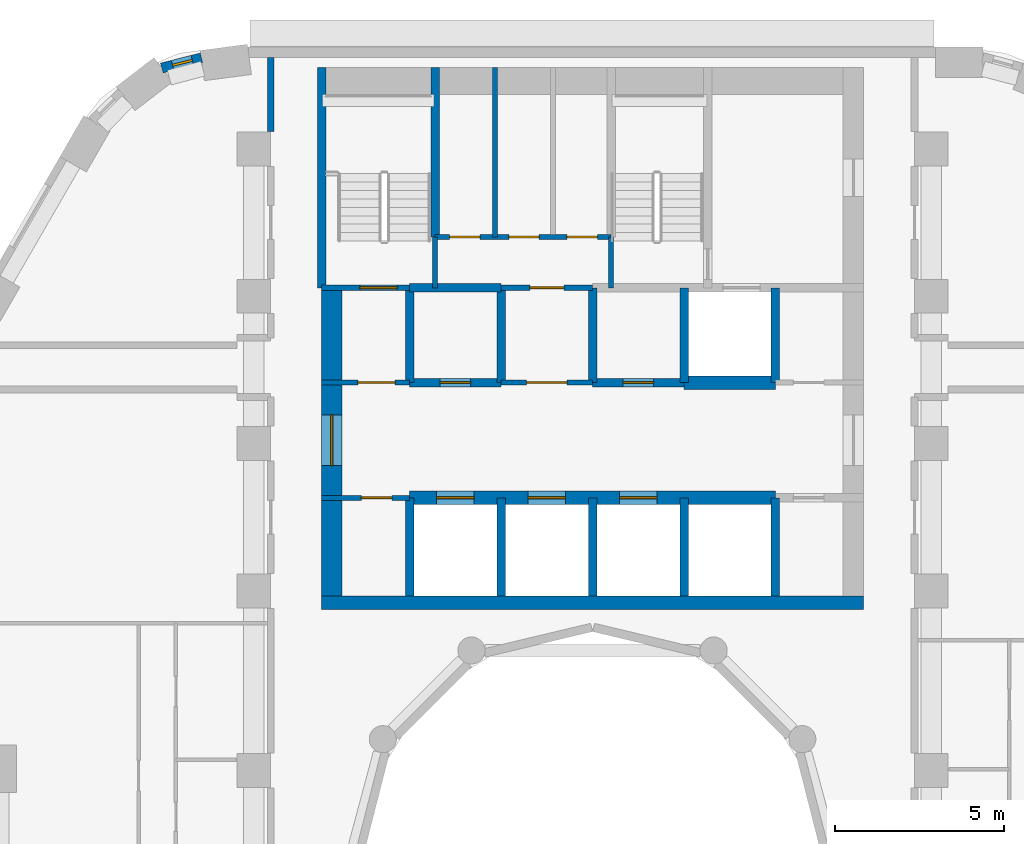
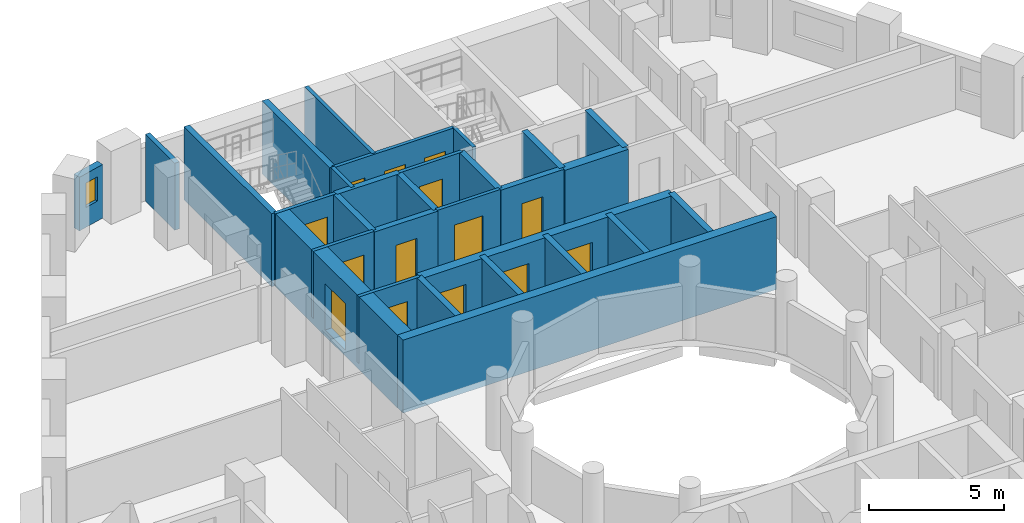
# One storey, part 7 of 12: 30 walls, 14 doors, 1 window, 15 openings.
"""IFC4 building model written with IfcOpenShell, lengths in metres."""

from ifc_helpers import new_model, si_unit, direction, frame, frame_2d, origin, place, context, subcontext, project, spatial, rectangle, extrude, material, layer, layer_set, type_object, element, fill, save


model = new_model("IFC4")

# Units and contexts
model_context = context("Model", 3, precision=1e-05, world=origin(), true_north=direction((0.0, 1.0)))
body_context = subcontext(model_context, "Body", "Model", "MODEL_VIEW")
ifc_project = project(units=[si_unit("LENGTHUNIT", "METRE"), si_unit("AREAUNIT", "SQUARE_METRE"), si_unit("VOLUMEUNIT", "CUBIC_METRE"), si_unit("PLANEANGLEUNIT", "RADIAN"), si_unit("MASSUNIT", "GRAM", prefix="KILO")], contexts=[model_context])

# Site, building, storey
site_placement = place(None, origin())
site = spatial("IfcSite", under=ifc_project, at=site_placement, CompositionType="ELEMENT")
building_placement = place(site_placement, origin())
building = spatial("IfcBuilding", under=site, at=building_placement, Name="Nakaniwa Court", CompositionType="ELEMENT")
storey_placement = place(building_placement, frame((0.0, 0.0, 97.5)))
storey = spatial("IfcBuildingStorey", under=building, at=storey_placement, Name="L25", CompositionType="ELEMENT", Elevation=97.5)

# Wall
ifc_material_1 = material(Name="Acoustic double stud partition")
ifc_layer_1 = layer(ifc_material_1, 0.199951171875)
ifc_layer_set_1 = layer_set([ifc_layer_1], Name="Acoustic double stud partition")
wall_type_1 = type_object("IfcWallType", Name="Acoustic double stud partition 200", PredefinedType="PARTITIONING", material=ifc_layer_set_1)
wall_1_placement = place(storey_placement, frame((70.5, 101.51708984375, 0.0), z_axis=(0.0, 0.0, 1.0), x_axis=(0.0, 1.0, 0.0)))
element("IfcWall", 1, at=wall_1_placement, inside=storey, type_object=wall_type_1, Name="Partition PW-108", PredefinedType="PARTITIONING", context=body_context, shape_type="SweptSolid", body=[
    extrude(rectangle(XDim=2.182861328125, YDim=0.199951171875, at=frame_2d((1.09130859375, 0.0))), origin(), (0.0, 0.0, 1.0), 3.02490234375),
])

# Wall, opening, window
ifc_material_2 = material(Name="Charcoal ceramic cladding")
ifc_layer_2 = layer(ifc_material_2, 0.02, Name="Ceramic cladding")
ifc_material_3 = material(Name="Ventilated air cavity")
ifc_layer_3 = layer(ifc_material_3, 0.04, ventilated=True, Name="Ventilated cavity")
ifc_material_4 = material(Name="Mineral wool insulation")
ifc_layer_4 = layer(ifc_material_4, 0.1, Name="Insulation")
ifc_material_5 = material(Name="Cement bonded sheathing board")
ifc_layer_5 = layer(ifc_material_5, 0.012, Name="Sheathing")
ifc_material_6 = material(Name="Cold-formed galvanised stud frame with mineral wool infill")
ifc_layer_6 = layer(ifc_material_6, 0.1, Name="Stud frame")
ifc_material_7 = material(Name="Fire-rated gypsum plasterboard lining")
ifc_layer_7 = layer(ifc_material_7, 0.028, Name="Lining")
ifc_layer_set_2 = layer_set([ifc_layer_2, ifc_layer_3, ifc_layer_4, ifc_layer_5, ifc_layer_6, ifc_layer_7], Name="Charcoal ceramic faced external wall system")
wall_type_2 = type_object("IfcWallType", Name="Black ceramic faced external wall 300", PredefinedType="SOLIDWALL", material=ifc_layer_set_2)
wall_2_placement = place(storey_placement, frame((68.455810546875, 103.68310546875, 0.0), z_axis=(0.0, 0.0, 1.0), x_axis=(-0.969485113966, -0.245150186208, 0.0)))
wall_2 = element("IfcWall", 2, at=wall_2_placement, inside=storey, type_object=wall_type_2, Name="L25 external wall 09", PredefinedType="SOLIDWALL", context=body_context, shape_type="SweptSolid", body=[
    extrude(rectangle(XDim=1.2080078125, YDim=0.300048828125, at=frame_2d((0.60400390625, 0.0))), origin(), (0.0, 0.0, 1.0), 2.425048828125),
])
opening_1_placement = place(wall_2_placement, frame((0.279541015625, 0.0, 0.89990234375)))
opening_1 = element("IfcOpeningElement", 3, at=opening_1_placement, cuts=wall_2, Name="Opening W8.10", PredefinedType="OPENING", context=body_context, shape_type="SweptSolid", body=[
    extrude(rectangle(XDim=0.60009765625, YDim=1.10009765625, at=frame_2d((0.300048828125, 0.550048828125))), frame((0.0, 0.159912109375, 0.0), z_axis=(0.0, -1.0, 0.0), x_axis=(1.0, 0.0, 0.0)), (0.0, 0.0, 1.0), 0.320068359375),
])
ifc_material_8 = material(Name="Black anodised aluminium frame with dark low-E laminated double glazing", Category="aluminium")
window_type = type_object("IfcWindowType", Name="Dark glass window 600x1100 sill 900", PartitioningType="SINGLE_PANEL", PredefinedType="WINDOW", material=ifc_material_8)
window_placement = place(opening_1_placement, origin())
window = element("IfcWindow", 4, at=window_placement, inside=storey, type_object=window_type, Name="L25 habitable room window 09-0", OverallHeight=1.10009765625, OverallWidth=0.60009765625, PartitioningType="SINGLE_PANEL", PredefinedType="WINDOW", context=body_context, shape_type="SweptSolid", body=[
    extrude(rectangle(XDim=0.60009765625, YDim=1.10009765625, at=frame_2d((0.300048828125, 0.550048828125))), frame((0.0, 0.030029296875, 0.0), z_axis=(0.0, -1.0, 0.0), x_axis=(1.0, 0.0, 0.0)), (0.0, 0.0, 1.0), 0.06005859375),
])
fill(opening_1, window)

# Wall, opening, door
ifc_material_9 = material(Name="Blockwork partition", Category="masonry")
ifc_layer_8 = layer(ifc_material_9, 0.14990234375)
ifc_layer_set_3 = layer_set([ifc_layer_8], Name="Blockwork partition")
wall_type_3 = type_object("IfcWallType", Name="Blockwork partition 150", PredefinedType="PARTITIONING", material=ifc_layer_set_3)
wall_3_placement = place(storey_placement, frame((74.60009765625, 90.699951171875, 0.0), z_axis=(0.0, 0.0, 1.0), x_axis=(-1.0, 0.0, 0.0)))
wall_3 = element("IfcWall", 5, at=wall_3_placement, inside=storey, type_object=wall_type_3, Name="Partition PW-003", PredefinedType="PARTITIONING", context=body_context, shape_type="SweptSolid", body=[
    extrude(rectangle(XDim=2.60009765625, YDim=0.14990234375, at=frame_2d((1.300048828125, 0.0))), origin(), (0.0, 0.0, 1.0), 3.02490234375),
])
opening_2_placement = place(wall_3_placement, frame((0.52490234375, 0.0, 0.0)))
opening_2 = element("IfcOpeningElement", 6, at=opening_2_placement, cuts=wall_3, Name="Opening D-05-01", PredefinedType="OPENING", context=body_context, shape_type="SweptSolid", body=[
    extrude(rectangle(XDim=0.89990234375, YDim=2.10009765625, at=frame_2d((0.449951171875, 1.050048828125))), frame((0.0, 0.0849609375, 0.0), z_axis=(0.0, -1.0, 0.0), x_axis=(1.0, 0.0, 0.0)), (0.0, 0.0, 1.0), 0.169921875),
])
ifc_material_10 = material(Name="Fire rated steel door set", Category="steel")
door_type_1 = type_object("IfcDoorType", Name="Service room door 900", OperationType="NOTDEFINED", PredefinedType="DOOR", material=ifc_material_10)
door_1_placement = place(opening_2_placement, origin())
door_1 = element("IfcDoor", 7, at=door_1_placement, inside=storey, type_object=door_type_1, Name="Door D-05-01 L25-001", OperationType="SINGLE_SWING_RIGHT", OverallHeight=2.10009765625, OverallWidth=0.89990234375, PredefinedType="DOOR", context=body_context, shape_type="SweptSolid", body=[
    extrude(rectangle(XDim=0.89990234375, YDim=2.10009765625, at=frame_2d((0.449951171875, 1.050048828125))), frame((0.0, 0.02490234375, 0.0), z_axis=(0.0, -1.0, 0.0), x_axis=(1.0, 0.0, 0.0)), (0.0, 0.0, 1.0), 0.050048828125),
])
fill(opening_2, door_1)

wall_4_placement = place(storey_placement, frame((72.0, 94.10009765625, 0.0), z_axis=(0.0, 0.0, 1.0), x_axis=(1.0, 0.0, 0.0)))
wall_4 = element("IfcWall", 8, at=wall_4_placement, inside=storey, type_object=wall_type_3, Name="Partition PW-016", PredefinedType="PARTITIONING", context=body_context, shape_type="SweptSolid", body=[
    extrude(rectangle(XDim=2.60302734375, YDim=0.14990234375, at=frame_2d((1.301513671875, 0.0))), origin(), (0.0, 0.0, 1.0), 3.02490234375),
])
opening_3_placement = place(wall_4_placement, frame((1.074951171875, 0.0, 0.0)))
opening_3 = element("IfcOpeningElement", 9, at=opening_3_placement, cuts=wall_4, Name="Opening D-08-01", PredefinedType="OPENING", context=body_context, shape_type="SweptSolid", body=[
    extrude(rectangle(XDim=1.10009765625, YDim=2.10009765625, at=frame_2d((0.550048828125, 1.050048828125))), frame((0.0, 0.0849609375, 0.0), z_axis=(0.0, -1.0, 0.0), x_axis=(1.0, 0.0, 0.0)), (0.0, 0.0, 1.0), 0.169921875),
])
door_type_2 = type_object("IfcDoorType", Name="Stair lobby door 1100", OperationType="NOTDEFINED", PredefinedType="DOOR", material=ifc_material_10)
door_2_placement = place(opening_3_placement, origin())
door_2 = element("IfcDoor", 10, at=door_2_placement, inside=storey, type_object=door_type_2, Name="Door D-08-01 L25-003", OperationType="SINGLE_SWING_RIGHT", OverallHeight=2.10009765625, OverallWidth=1.10009765625, PredefinedType="DOOR", context=body_context, shape_type="SweptSolid", body=[
    extrude(rectangle(XDim=1.10009765625, YDim=2.10009765625, at=frame_2d((0.550048828125, 1.050048828125))), frame((0.0, 0.02490234375, 0.0), z_axis=(0.0, -1.0, 0.0), x_axis=(1.0, 0.0, 0.0)), (0.0, 0.0, 1.0), 0.050048828125),
])
fill(opening_3, door_2)

wall_5_placement = place(storey_placement, frame((77.297119140625, 94.10009765625, 0.0), z_axis=(0.0, 0.0, 1.0), x_axis=(1.0, 0.0, 0.0)))
wall_5 = element("IfcWall", 11, at=wall_5_placement, inside=storey, type_object=wall_type_3, Name="Partition PW-017", PredefinedType="PARTITIONING", context=body_context, shape_type="SweptSolid", body=[
    extrude(rectangle(XDim=2.705810546875, YDim=0.14990234375, at=frame_2d((1.35302734375, 0.0))), origin(), (0.0, 0.0, 1.0), 3.02490234375),
])
opening_4_placement = place(wall_5_placement, frame((0.7529296875, 0.0, 0.0)))
opening_4 = element("IfcOpeningElement", 12, at=opening_4_placement, cuts=wall_5, Name="Opening D-06-01", PredefinedType="OPENING", context=body_context, shape_type="SweptSolid", body=[
    extrude(rectangle(XDim=1.199951171875, YDim=2.10009765625, at=frame_2d((0.60009765625, 1.050048828125))), frame((0.0, 0.0849609375, 0.0), z_axis=(0.0, -1.0, 0.0), x_axis=(1.0, 0.0, 0.0)), (0.0, 0.0, 1.0), 0.169921875),
])
ifc_material_11 = material(Name="Fire rated steel double door set", Category="steel")
door_type_3 = type_object("IfcDoorType", Name="Service passage double door 1200", OperationType="NOTDEFINED", PredefinedType="DOOR", material=ifc_material_11)
door_3_placement = place(opening_4_placement, origin())
door_3 = element("IfcDoor", 13, at=door_3_placement, inside=storey, type_object=door_type_3, Name="Door D-06-01 L25-005", OperationType="DOUBLE_DOOR_SINGLE_SWING", OverallHeight=2.10009765625, OverallWidth=1.199951171875, PredefinedType="DOOR", context=body_context, shape_type="SweptSolid", body=[
    extrude(rectangle(XDim=1.199951171875, YDim=2.10009765625, at=frame_2d((0.60009765625, 1.050048828125))), frame((0.0, 0.02490234375, 0.0), z_axis=(0.0, -1.0, 0.0), x_axis=(1.0, 0.0, 0.0)), (0.0, 0.0, 1.0), 0.050048828125),
])
fill(opening_4, door_3)

wall_6_placement = place(storey_placement, frame((77.300048828125, 96.89990234375, 0.0), z_axis=(0.0, 0.0, 1.0), x_axis=(1.0, 0.0, 0.0)))
wall_6 = element("IfcWall", 14, at=wall_6_placement, inside=storey, type_object=wall_type_3, Name="Partition PW-025", PredefinedType="PARTITIONING", context=body_context, shape_type="SweptSolid", body=[
    extrude(rectangle(XDim=2.699951171875, YDim=0.14990234375, at=frame_2d((1.35009765625, 0.0))), origin(), (0.0, 0.0, 1.0), 3.02490234375),
])
opening_5_placement = place(wall_6_placement, frame((0.85009765625, 0.0, 0.0)))
opening_5 = element("IfcOpeningElement", 15, at=opening_5_placement, cuts=wall_6, Name="Opening D-23-01", PredefinedType="OPENING", context=body_context, shape_type="SweptSolid", body=[
    extrude(rectangle(XDim=1.0, YDim=2.10009765625, at=frame_2d((0.5, 1.050048828125))), frame((0.0, 0.0849609375, 0.0), z_axis=(0.0, -1.0, 0.0), x_axis=(1.0, 0.0, 0.0)), (0.0, 0.0, 1.0), 0.169921875),
])
door_type_4 = type_object("IfcDoorType", Name="Service room door 1000", OperationType="NOTDEFINED", PredefinedType="DOOR", material=ifc_material_10)
door_4_placement = place(opening_5_placement, origin())
door_4 = element("IfcDoor", 16, at=door_4_placement, inside=storey, type_object=door_type_4, Name="Door D-23-01 L25-008", OperationType="SINGLE_SWING_LEFT", OverallHeight=2.10009765625, OverallWidth=1.0, PredefinedType="DOOR", context=body_context, shape_type="SweptSolid", body=[
    extrude(rectangle(XDim=1.0, YDim=2.10009765625, at=frame_2d((0.5, 1.050048828125))), frame((0.0, 0.02490234375, 0.0), z_axis=(0.0, -1.0, 0.0), x_axis=(1.0, 0.0, 0.0)), (0.0, 0.0, 1.0), 0.050048828125),
])
fill(opening_5, door_4)

# Wall, openings, doors
wall_7_placement = place(storey_placement, frame((75.35009765625, 98.39990234375, 0.0), z_axis=(0.0, 0.0, 1.0), x_axis=(1.0, 0.0, 0.0)))
wall_7 = element("IfcWall", 17, at=wall_7_placement, inside=storey, type_object=wall_type_3, Name="Partition PW-032", PredefinedType="PARTITIONING", context=body_context, shape_type="SweptSolid", body=[
    extrude(rectangle(XDim=5.199951171875, YDim=0.14990234375, at=frame_2d((2.60009765625, 0.0))), origin(), (0.0, 0.0, 1.0), 3.02490234375),
])
opening_6_placement = place(wall_7_placement, frame((0.43408203125, 0.0, 0.0)))
opening_6 = element("IfcOpeningElement", 18, at=opening_6_placement, cuts=wall_7, Name="Opening D-05-06", PredefinedType="OPENING", context=body_context, shape_type="SweptSolid", body=[
    extrude(rectangle(XDim=0.89990234375, YDim=2.10009765625, at=frame_2d((0.449951171875, 1.050048828125))), frame((0.0, 0.0849609375, 0.0), z_axis=(0.0, -1.0, 0.0), x_axis=(1.0, 0.0, 0.0)), (0.0, 0.0, 1.0), 0.169921875),
])
opening_7_placement = place(wall_7_placement, frame((2.176025390625, 0.0, 0.0)))
opening_7 = element("IfcOpeningElement", 19, at=opening_7_placement, cuts=wall_7, Name="Opening D-05-07", PredefinedType="OPENING", context=body_context, shape_type="SweptSolid", body=[
    extrude(rectangle(XDim=0.89990234375, YDim=2.10009765625, at=frame_2d((0.449951171875, 1.050048828125))), frame((0.0, 0.0849609375, 0.0), z_axis=(0.0, -1.0, 0.0), x_axis=(1.0, 0.0, 0.0)), (0.0, 0.0, 1.0), 0.169921875),
])
opening_8_placement = place(wall_7_placement, frame((3.89208984375, 0.0, 0.0)))
opening_8 = element("IfcOpeningElement", 20, at=opening_8_placement, cuts=wall_7, Name="Opening D-05-08", PredefinedType="OPENING", context=body_context, shape_type="SweptSolid", body=[
    extrude(rectangle(XDim=0.89990234375, YDim=2.10009765625, at=frame_2d((0.449951171875, 1.050048828125))), frame((0.0, 0.0849609375, 0.0), z_axis=(0.0, -1.0, 0.0), x_axis=(1.0, 0.0, 0.0)), (0.0, 0.0, 1.0), 0.169921875),
])
door_5_placement = place(opening_6_placement, origin())
door_5 = element("IfcDoor", 21, at=door_5_placement, inside=storey, type_object=door_type_1, Name="Door D-05-06 L25-009", OperationType="SINGLE_SWING_RIGHT", OverallHeight=2.10009765625, OverallWidth=0.89990234375, PredefinedType="DOOR", context=body_context, shape_type="SweptSolid", body=[
    extrude(rectangle(XDim=0.89990234375, YDim=2.10009765625, at=frame_2d((0.449951171875, 1.050048828125))), frame((0.0, 0.02490234375, 0.0), z_axis=(0.0, -1.0, 0.0), x_axis=(1.0, 0.0, 0.0)), (0.0, 0.0, 1.0), 0.050048828125),
])
fill(opening_6, door_5)
door_6_placement = place(opening_7_placement, origin())
door_6 = element("IfcDoor", 22, at=door_6_placement, inside=storey, type_object=door_type_1, Name="Door D-05-07 L25-010", OperationType="SINGLE_SWING_LEFT", OverallHeight=2.10009765625, OverallWidth=0.89990234375, PredefinedType="DOOR", context=body_context, shape_type="SweptSolid", body=[
    extrude(rectangle(XDim=0.89990234375, YDim=2.10009765625, at=frame_2d((0.449951171875, 1.050048828125))), frame((0.0, 0.02490234375, 0.0), z_axis=(0.0, -1.0, 0.0), x_axis=(1.0, 0.0, 0.0)), (0.0, 0.0, 1.0), 0.050048828125),
])
fill(opening_7, door_6)
door_7_placement = place(opening_8_placement, origin())
door_7 = element("IfcDoor", 23, at=door_7_placement, inside=storey, type_object=door_type_1, Name="Door D-05-08 L25-011", OperationType="SINGLE_SWING_RIGHT", OverallHeight=2.10009765625, OverallWidth=0.89990234375, PredefinedType="DOOR", context=body_context, shape_type="SweptSolid", body=[
    extrude(rectangle(XDim=0.89990234375, YDim=2.10009765625, at=frame_2d((0.449951171875, 1.050048828125))), frame((0.0, 0.02490234375, 0.0), z_axis=(0.0, -1.0, 0.0), x_axis=(1.0, 0.0, 0.0)), (0.0, 0.0, 1.0), 0.050048828125),
])
fill(opening_8, door_7)

# Wall
wall_8_placement = place(storey_placement, frame((77.117919921875, 98.39990234375, 0.0), z_axis=(0.0, 0.0, 1.0), x_axis=(0.0, 1.0, 0.0)))
element("IfcWall", 24, at=wall_8_placement, inside=storey, type_object=wall_type_3, Name="Partition PW-033", PredefinedType="PARTITIONING", context=body_context, shape_type="SweptSolid", body=[
    extrude(rectangle(XDim=5.0, YDim=0.14990234375, at=frame_2d((2.5, 0.0))), origin(), (0.0, 0.0, 1.0), 3.02490234375),
])

# Wall, opening, door
ifc_material_12 = material(Name="Concrete C80/100", Category="concrete")
ifc_layer_9 = layer(ifc_material_12, 0.60009765625)
ifc_layer_set_4 = layer_set([ifc_layer_9], Name="Concrete C80/100")
wall_type_4 = type_object("IfcWallType", Name="Concrete core side wall 600 C80", PredefinedType="SHEAR", material=ifc_layer_set_4)
wall_9_placement = place(storey_placement, frame((72.300048828125, 87.800048828125, -0.27490234375), z_axis=(0.0, 0.0, 1.0), x_axis=(0.0, 1.0, 0.0)))
wall_9 = element("IfcWall", 25, at=wall_9_placement, inside=storey, type_object=wall_type_4, Name="Core wall SW-04", PredefinedType="SHEAR", context=body_context, shape_type="SweptSolid", body=[
    extrude(rectangle(XDim=9.099853515625, YDim=0.60009765625, at=frame_2d((4.5498046875, 0.0))), origin(), (0.0, 0.0, 1.0), 3.2998046875),
])
opening_9_placement = place(wall_9_placement, frame((3.85009765625, 0.0, 0.27490234375)))
opening_9 = element("IfcOpeningElement", 26, at=opening_9_placement, cuts=wall_9, Name="Opening D-07-02", PredefinedType="OPENING", context=body_context, shape_type="SweptSolid", body=[
    extrude(rectangle(XDim=1.5, YDim=2.10009765625, at=frame_2d((0.75, 1.050048828125))), frame((0.0, 0.31005859375, 0.0), z_axis=(0.0, -1.0, 0.0), x_axis=(1.0, 0.0, 0.0)), (0.0, 0.0, 1.0), 0.6201171875),
])
ifc_material_13 = material(Name="Glazed fire rated steel double door set", Category="steel")
door_type_5 = type_object("IfcDoorType", Name="Lobby double door 1500", OperationType="NOTDEFINED", PredefinedType="DOOR", material=ifc_material_13)
door_8_placement = place(opening_9_placement, origin())
door_8 = element("IfcDoor", 27, at=door_8_placement, inside=storey, type_object=door_type_5, Name="Door D-07-02 L25-052", OperationType="DOUBLE_DOOR_SINGLE_SWING", OverallHeight=2.10009765625, OverallWidth=1.5, PredefinedType="DOOR", context=body_context, shape_type="SweptSolid", body=[
    extrude(rectangle(XDim=1.5, YDim=2.10009765625, at=frame_2d((0.75, 1.050048828125))), frame((0.0, 0.02490234375, 0.0), z_axis=(0.0, -1.0, 0.0), x_axis=(1.0, 0.0, 0.0)), (0.0, 0.0, 1.0), 0.050048828125),
])
fill(opening_9, door_8)

# Wall, openings, doors
ifc_layer_10 = layer(ifc_material_12, 0.39990234375)
ifc_layer_set_5 = layer_set([ifc_layer_10], Name="Concrete C80/100")
wall_type_5 = type_object("IfcWallType", Name="Concrete core spine wall 400 C80", PredefinedType="SHEAR", material=ifc_layer_set_5)
wall_10_placement = place(storey_placement, frame((74.60009765625, 90.699951171875, -0.27490234375), z_axis=(0.0, 0.0, 1.0), x_axis=(1.0, 0.0, 0.0)))
wall_10 = element("IfcWall", 28, at=wall_10_placement, inside=storey, type_object=wall_type_5, Name="Core wall SW-07", PredefinedType="SHEAR", context=body_context, shape_type="SweptSolid", body=[
    extrude(rectangle(XDim=10.7998046875, YDim=0.39990234375, at=frame_2d((5.39990234375, 0.0))), origin(), (0.0, 0.0, 1.0), 3.2998046875),
])
opening_10_placement = place(wall_10_placement, frame((0.800048828125, 0.0, 0.27490234375)))
opening_10 = element("IfcOpeningElement", 29, at=opening_10_placement, cuts=wall_10, Name="Opening LD01", PredefinedType="OPENING", context=body_context, shape_type="SweptSolid", body=[
    extrude(rectangle(XDim=1.10009765625, YDim=2.10009765625, at=frame_2d((0.550048828125, 1.050048828125))), frame((0.0, 0.2099609375, 0.0), z_axis=(0.0, -1.0, 0.0), x_axis=(1.0, 0.0, 0.0)), (0.0, 0.0, 1.0), 0.419921875),
])
opening_11_placement = place(wall_10_placement, frame((3.5, 0.0, 0.27490234375)))
opening_11 = element("IfcOpeningElement", 30, at=opening_11_placement, cuts=wall_10, Name="Opening LD02", PredefinedType="OPENING", context=body_context, shape_type="SweptSolid", body=[
    extrude(rectangle(XDim=1.10009765625, YDim=2.10009765625, at=frame_2d((0.550048828125, 1.050048828125))), frame((0.0, 0.2099609375, 0.0), z_axis=(0.0, -1.0, 0.0), x_axis=(1.0, 0.0, 0.0)), (0.0, 0.0, 1.0), 0.419921875),
])
opening_12_placement = place(wall_10_placement, frame((6.199951171875, 0.0, 0.27490234375)))
opening_12 = element("IfcOpeningElement", 31, at=opening_12_placement, cuts=wall_10, Name="Opening LD03", PredefinedType="OPENING", context=body_context, shape_type="SweptSolid", body=[
    extrude(rectangle(XDim=1.10009765625, YDim=2.10009765625, at=frame_2d((0.550048828125, 1.050048828125))), frame((0.0, 0.2099609375, 0.0), z_axis=(0.0, -1.0, 0.0), x_axis=(1.0, 0.0, 0.0)), (0.0, 0.0, 1.0), 0.419921875),
])
ifc_material_14 = material(Name="Stainless steel sliding lift landing door", Category="steel")
door_type_6 = type_object("IfcDoorType", Name="Lift landing door 1100", OperationType="NOTDEFINED", PredefinedType="DOOR", material=ifc_material_14)
door_9_placement = place(opening_10_placement, origin())
door_9 = element("IfcDoor", 32, at=door_9_placement, inside=storey, type_object=door_type_6, Name="Lift landing door LD01 L25-001", OperationType="SLIDING_TO_LEFT", OverallHeight=2.10009765625, OverallWidth=1.10009765625, PredefinedType="DOOR", context=body_context, shape_type="SweptSolid", body=[
    extrude(rectangle(XDim=1.10009765625, YDim=2.10009765625, at=frame_2d((0.550048828125, 1.050048828125))), frame((0.0, 0.02490234375, 0.0), z_axis=(0.0, -1.0, 0.0), x_axis=(1.0, 0.0, 0.0)), (0.0, 0.0, 1.0), 0.050048828125),
])
fill(opening_10, door_9)
door_10_placement = place(opening_11_placement, origin())
door_10 = element("IfcDoor", 33, at=door_10_placement, inside=storey, type_object=door_type_6, Name="Lift landing door LD02 L25-002", OperationType="SLIDING_TO_LEFT", OverallHeight=2.10009765625, OverallWidth=1.10009765625, PredefinedType="DOOR", context=body_context, shape_type="SweptSolid", body=[
    extrude(rectangle(XDim=1.10009765625, YDim=2.10009765625, at=frame_2d((0.550048828125, 1.050048828125))), frame((0.0, 0.02490234375, 0.0), z_axis=(0.0, -1.0, 0.0), x_axis=(1.0, 0.0, 0.0)), (0.0, 0.0, 1.0), 0.050048828125),
])
fill(opening_11, door_10)
door_11_placement = place(opening_12_placement, origin())
door_11 = element("IfcDoor", 34, at=door_11_placement, inside=storey, type_object=door_type_6, Name="Lift landing door LD03 L25-003", OperationType="SLIDING_TO_LEFT", OverallHeight=2.10009765625, OverallWidth=1.10009765625, PredefinedType="DOOR", context=body_context, shape_type="SweptSolid", body=[
    extrude(rectangle(XDim=1.10009765625, YDim=2.10009765625, at=frame_2d((0.550048828125, 1.050048828125))), frame((0.0, 0.02490234375, 0.0), z_axis=(0.0, -1.0, 0.0), x_axis=(1.0, 0.0, 0.0)), (0.0, 0.0, 1.0), 0.050048828125),
])
fill(opening_12, door_11)

# Wall
wall_11_placement = place(storey_placement, frame((82.697021484375, 94.10009765625, -0.27490234375), z_axis=(0.0, 0.0, 1.0), x_axis=(1.0, 0.0, 0.0)))
element("IfcWall", 35, at=wall_11_placement, inside=storey, type_object=wall_type_5, Name="Core wall SW-21", PredefinedType="SHEAR", context=body_context, shape_type="SweptSolid", body=[
    extrude(rectangle(XDim=2.7060546875, YDim=0.39990234375, at=frame_2d((1.35302734375, 0.0))), origin(), (0.0, 0.0, 1.0), 3.2998046875),
])

# Wall, opening, door
ifc_layer_11 = layer(ifc_material_12, 0.14990234375)
ifc_layer_set_6 = layer_set([ifc_layer_11], Name="Concrete C80/100")
wall_type_6 = type_object("IfcWallType", Name="Concrete core wall 150 C80", PredefinedType="SHEAR", material=ifc_layer_set_6)
wall_12_placement = place(storey_placement, frame((74.60009765625, 96.89990234375, -0.27490234375), z_axis=(0.0, 0.0, 1.0), x_axis=(-1.0, 0.0, 0.0)))
wall_12 = element("IfcWall", 36, at=wall_12_placement, inside=storey, type_object=wall_type_6, Name="Core wall SW-22", PredefinedType="SHEAR", context=body_context, shape_type="SweptSolid", body=[
    extrude(rectangle(XDim=2.60009765625, YDim=0.14990234375, at=frame_2d((1.300048828125, 0.0))), origin(), (0.0, 0.0, 1.0), 3.2998046875),
])
opening_13_placement = place(wall_12_placement, frame((0.3701171875, 0.0, 0.27490234375)))
opening_13 = element("IfcOpeningElement", 37, at=opening_13_placement, cuts=wall_12, Name="Opening D-09-01", PredefinedType="OPENING", context=body_context, shape_type="SweptSolid", body=[
    extrude(rectangle(XDim=1.10009765625, YDim=2.10009765625, at=frame_2d((0.550048828125, 1.050048828125))), frame((0.0, 0.0849609375, 0.0), z_axis=(0.0, -1.0, 0.0), x_axis=(1.0, 0.0, 0.0)), (0.0, 0.0, 1.0), 0.169921875),
])
door_type_7 = type_object("IfcDoorType", Name="Stair door 1100", OperationType="NOTDEFINED", PredefinedType="DOOR", material=ifc_material_10)
door_12_placement = place(opening_13_placement, origin())
door_12 = element("IfcDoor", 38, at=door_12_placement, inside=storey, type_object=door_type_7, Name="Door D-09-01 L25-012", OperationType="SINGLE_SWING_RIGHT", OverallHeight=2.10009765625, OverallWidth=1.10009765625, PredefinedType="DOOR", context=body_context, shape_type="SweptSolid", body=[
    extrude(rectangle(XDim=1.10009765625, YDim=2.10009765625, at=frame_2d((0.550048828125, 1.050048828125))), frame((0.0, 0.02490234375, 0.0), z_axis=(0.0, -1.0, 0.0), x_axis=(1.0, 0.0, 0.0)), (0.0, 0.0, 1.0), 0.050048828125),
])
fill(opening_13, door_12)

# Walls
for number, where, z_axis, x_axis, name in (
    (39, (75.35009765625, 96.89990234375, -0.27490234375), (0.0, 0.0, 1.0), (0.0, 1.0, 0.0), "Core wall SW-26"),
    (40, (80.550048828125, 96.89990234375, -0.27490234375), (0.0, 0.0, 1.0), (0.0, 1.0, 0.0), "Core wall SW-30"),
):
    element("IfcWall", number, at=place(storey_placement, frame(where, z_axis=z_axis, x_axis=x_axis)), inside=storey, type_object=wall_type_6, Name=name, PredefinedType="SHEAR", context=body_context, shape_type="SweptSolid", body=[
        extrude(rectangle(XDim=1.503173828125, YDim=0.14990234375, at=frame_2d((0.75146484375, 0.0))), origin(), (0.0, 0.0, 1.0), 3.2998046875),
    ])
ifc_layer_12 = layer(ifc_material_12, 0.25)
ifc_layer_set_7 = layer_set([ifc_layer_12], Name="Concrete C80/100")
wall_type_7 = type_object("IfcWallType", Name="Concrete core wall 250 C80", PredefinedType="SHEAR", material=ifc_layer_set_7)
wall_13_placement = place(storey_placement, frame((72.0, 96.89990234375, -0.27490234375), z_axis=(0.0, 0.0, 1.0), x_axis=(0.0, 1.0, 0.0)))
element("IfcWall", 41, at=wall_13_placement, inside=storey, type_object=wall_type_7, Name="Core wall SW-28", PredefinedType="SHEAR", context=body_context, shape_type="SweptSolid", body=[
    extrude(rectangle(XDim=6.5, YDim=0.25, at=frame_2d((3.25, 0.0))), origin(), (0.0, 0.0, 1.0), 3.2998046875),
])
ifc_layer_13 = layer(ifc_material_12, 0.39990234375)
ifc_layer_set_8 = layer_set([ifc_layer_13], Name="Concrete C80/100")
wall_type_8 = type_object("IfcWallType", Name="Concrete core well wall 400 C80", PredefinedType="SHEAR", material=ifc_layer_set_8)
wall_14_placement = place(storey_placement, frame((72.00390625, 87.60009765625, -0.27490234375), z_axis=(0.0, 0.0, 1.0), x_axis=(1.0, 0.0, 0.0)))
element("IfcWall", 42, at=wall_14_placement, inside=storey, type_object=wall_type_8, Name="Core wall SW-129", PredefinedType="SHEAR", context=body_context, shape_type="SweptSolid", body=[
    extrude(rectangle(XDim=15.9921875, YDim=0.39990234375, at=frame_2d((7.99609375, 0.0))), origin(), (0.0, 0.0, 1.0), 3.2998046875),
])
ifc_layer_14 = layer(ifc_material_12, 0.25)
ifc_layer_set_9 = layer_set([ifc_layer_14], Name="Concrete C80/100")
wall_type_9 = type_object("IfcWallType", Name="Concrete shaft wall 250 C80", PredefinedType="SHEAR", material=ifc_layer_set_9)
wall_15_placement = place(storey_placement, frame((74.60009765625, 87.800048828125, -0.27490234375), z_axis=(0.0, 0.0, 1.0), x_axis=(0.0, 1.0, 0.0)))
element("IfcWall", 43, at=wall_15_placement, inside=storey, type_object=wall_type_9, Name="Core wall SW-01", PredefinedType="SHEAR", context=body_context, shape_type="SweptSolid", body=[
    extrude(rectangle(XDim=2.89990234375, YDim=0.25, at=frame_2d((1.449951171875, 0.0))), origin(), (0.0, 0.0, 1.0), 3.2998046875),
])
wall_16_placement = place(storey_placement, frame((74.60009765625, 94.10009765625, -0.27490234375), z_axis=(0.0, 0.0, 1.0), x_axis=(0.0, 1.0, 0.0)))
element("IfcWall", 44, at=wall_16_placement, inside=storey, type_object=wall_type_9, Name="Core wall SW-02", PredefinedType="SHEAR", context=body_context, shape_type="SweptSolid", body=[
    extrude(rectangle(XDim=2.7998046875, YDim=0.25, at=frame_2d((1.39990234375, 0.0))), origin(), (0.0, 0.0, 1.0), 3.2998046875),
])
wall_17_placement = place(storey_placement, frame((77.300048828125, 87.800048828125, -0.27490234375), z_axis=(0.0, 0.0, 1.0), x_axis=(0.0, 1.0, 0.0)))
element("IfcWall", 45, at=wall_17_placement, inside=storey, type_object=wall_type_9, Name="Core wall SW-05", PredefinedType="SHEAR", context=body_context, shape_type="SweptSolid", body=[
    extrude(rectangle(XDim=2.89990234375, YDim=0.25, at=frame_2d((1.449951171875, 0.0))), origin(), (0.0, 0.0, 1.0), 3.2998046875),
])
wall_18_placement = place(storey_placement, frame((77.300048828125, 94.10009765625, -0.27490234375), z_axis=(0.0, 0.0, 1.0), x_axis=(0.0, 1.0, 0.0)))
element("IfcWall", 46, at=wall_18_placement, inside=storey, type_object=wall_type_9, Name="Core wall SW-06", PredefinedType="SHEAR", context=body_context, shape_type="SweptSolid", body=[
    extrude(rectangle(XDim=2.7998046875, YDim=0.25, at=frame_2d((1.39990234375, 0.0))), origin(), (0.0, 0.0, 1.0), 3.2998046875),
])
wall_19_placement = place(storey_placement, frame((80.0, 87.800048828125, -0.27490234375), z_axis=(0.0, 0.0, 1.0), x_axis=(0.0, 1.0, 0.0)))
element("IfcWall", 47, at=wall_19_placement, inside=storey, type_object=wall_type_9, Name="Core wall SW-08", PredefinedType="SHEAR", context=body_context, shape_type="SweptSolid", body=[
    extrude(rectangle(XDim=2.89990234375, YDim=0.25, at=frame_2d((1.449951171875, 0.0))), origin(), (0.0, 0.0, 1.0), 3.2998046875),
])
wall_20_placement = place(storey_placement, frame((80.0, 94.10009765625, -0.27490234375), z_axis=(0.0, 0.0, 1.0), x_axis=(0.0, 1.0, 0.0)))
element("IfcWall", 48, at=wall_20_placement, inside=storey, type_object=wall_type_9, Name="Core wall SW-09", PredefinedType="SHEAR", context=body_context, shape_type="SweptSolid", body=[
    extrude(rectangle(XDim=2.7998046875, YDim=0.25, at=frame_2d((1.39990234375, 0.0))), origin(), (0.0, 0.0, 1.0), 3.2998046875),
])
wall_21_placement = place(storey_placement, frame((82.699951171875, 87.800048828125, -0.27490234375), z_axis=(0.0, 0.0, 1.0), x_axis=(0.0, 1.0, 0.0)))
element("IfcWall", 49, at=wall_21_placement, inside=storey, type_object=wall_type_9, Name="Core wall SW-10", PredefinedType="SHEAR", context=body_context, shape_type="SweptSolid", body=[
    extrude(rectangle(XDim=2.89990234375, YDim=0.25, at=frame_2d((1.449951171875, 0.0))), origin(), (0.0, 0.0, 1.0), 3.2998046875),
])
wall_22_placement = place(storey_placement, frame((82.699951171875, 94.10009765625, -0.27490234375), z_axis=(0.0, 0.0, 1.0), x_axis=(0.0, 1.0, 0.0)))
element("IfcWall", 50, at=wall_22_placement, inside=storey, type_object=wall_type_9, Name="Core wall SW-11", PredefinedType="SHEAR", context=body_context, shape_type="SweptSolid", body=[
    extrude(rectangle(XDim=2.7998046875, YDim=0.25, at=frame_2d((1.39990234375, 0.0))), origin(), (0.0, 0.0, 1.0), 3.2998046875),
])
wall_23_placement = place(storey_placement, frame((85.39990234375, 87.800048828125, -0.27490234375), z_axis=(0.0, 0.0, 1.0), x_axis=(0.0, 1.0, 0.0)))
element("IfcWall", 51, at=wall_23_placement, inside=storey, type_object=wall_type_9, Name="Core wall SW-12", PredefinedType="SHEAR", context=body_context, shape_type="SweptSolid", body=[
    extrude(rectangle(XDim=2.89990234375, YDim=0.25, at=frame_2d((1.449951171875, 0.0))), origin(), (0.0, 0.0, 1.0), 3.2998046875),
])
wall_24_placement = place(storey_placement, frame((85.39990234375, 94.10009765625, -0.27490234375), z_axis=(0.0, 0.0, 1.0), x_axis=(0.0, 1.0, 0.0)))
element("IfcWall", 52, at=wall_24_placement, inside=storey, type_object=wall_type_9, Name="Core wall SW-13", PredefinedType="SHEAR", context=body_context, shape_type="SweptSolid", body=[
    extrude(rectangle(XDim=2.7998046875, YDim=0.25, at=frame_2d((1.39990234375, 0.0))), origin(), (0.0, 0.0, 1.0), 3.2998046875),
])

# Wall, opening, door
wall_25_placement = place(storey_placement, frame((74.596923828125, 94.10009765625, -0.27490234375), z_axis=(0.0, 0.0, 1.0), x_axis=(1.0, 0.0, 0.0)))
wall_25 = element("IfcWall", 53, at=wall_25_placement, inside=storey, type_object=wall_type_9, Name="Core wall SW-19", PredefinedType="SHEAR", context=body_context, shape_type="SweptSolid", body=[
    extrude(rectangle(XDim=2.7060546875, YDim=0.25, at=frame_2d((1.35302734375, 0.0))), origin(), (0.0, 0.0, 1.0), 3.2998046875),
])
opening_14_placement = place(wall_25_placement, frame((0.903076171875, 0.0, 0.27490234375)))
opening_14 = element("IfcOpeningElement", 54, at=opening_14_placement, cuts=wall_25, Name="Opening D-05-03", PredefinedType="OPENING", context=body_context, shape_type="SweptSolid", body=[
    extrude(rectangle(XDim=0.89990234375, YDim=2.10009765625, at=frame_2d((0.449951171875, 1.050048828125))), frame((0.0, 0.135009765625, 0.0), z_axis=(0.0, -1.0, 0.0), x_axis=(1.0, 0.0, 0.0)), (0.0, 0.0, 1.0), 0.27001953125),
])
door_13_placement = place(opening_14_placement, origin())
door_13 = element("IfcDoor", 55, at=door_13_placement, inside=storey, type_object=door_type_1, Name="Door D-05-03 L25-004", OperationType="SINGLE_SWING_LEFT", OverallHeight=2.10009765625, OverallWidth=0.89990234375, PredefinedType="DOOR", context=body_context, shape_type="SweptSolid", body=[
    extrude(rectangle(XDim=0.89990234375, YDim=2.10009765625, at=frame_2d((0.449951171875, 1.050048828125))), frame((0.0, 0.02490234375, 0.0), z_axis=(0.0, -1.0, 0.0), x_axis=(1.0, 0.0, 0.0)), (0.0, 0.0, 1.0), 0.050048828125),
])
fill(opening_14, door_13)

wall_26_placement = place(storey_placement, frame((79.9970703125, 94.10009765625, -0.27490234375), z_axis=(0.0, 0.0, 1.0), x_axis=(1.0, 0.0, 0.0)))
wall_26 = element("IfcWall", 56, at=wall_26_placement, inside=storey, type_object=wall_type_9, Name="Core wall SW-20", PredefinedType="SHEAR", context=body_context, shape_type="SweptSolid", body=[
    extrude(rectangle(XDim=2.705810546875, YDim=0.25, at=frame_2d((1.35302734375, 0.0))), origin(), (0.0, 0.0, 1.0), 3.2998046875),
])
opening_15_placement = place(wall_26_placement, frame((0.903076171875, 0.0, 0.27490234375)))
opening_15 = element("IfcOpeningElement", 57, at=opening_15_placement, cuts=wall_26, Name="Opening D-05-04", PredefinedType="OPENING", context=body_context, shape_type="SweptSolid", body=[
    extrude(rectangle(XDim=0.89990234375, YDim=2.10009765625, at=frame_2d((0.449951171875, 1.050048828125))), frame((0.0, 0.135009765625, 0.0), z_axis=(0.0, -1.0, 0.0), x_axis=(1.0, 0.0, 0.0)), (0.0, 0.0, 1.0), 0.27001953125),
])
door_14_placement = place(opening_15_placement, origin())
door_14 = element("IfcDoor", 58, at=door_14_placement, inside=storey, type_object=door_type_1, Name="Door D-05-04 L25-006", OperationType="SINGLE_SWING_LEFT", OverallHeight=2.10009765625, OverallWidth=0.89990234375, PredefinedType="DOOR", context=body_context, shape_type="SweptSolid", body=[
    extrude(rectangle(XDim=0.89990234375, YDim=2.10009765625, at=frame_2d((0.449951171875, 1.050048828125))), frame((0.0, 0.02490234375, 0.0), z_axis=(0.0, -1.0, 0.0), x_axis=(1.0, 0.0, 0.0)), (0.0, 0.0, 1.0), 0.050048828125),
])
fill(opening_15, door_14)

# Walls
wall_27_placement = place(storey_placement, frame((74.60009765625, 96.89990234375, -0.27490234375), z_axis=(0.0, 0.0, 1.0), x_axis=(1.0, 0.0, 0.0)))
element("IfcWall", 59, at=wall_27_placement, inside=storey, type_object=wall_type_9, Name="Core wall SW-23", PredefinedType="SHEAR", context=body_context, shape_type="SweptSolid", body=[
    extrude(rectangle(XDim=2.699951171875, YDim=0.25, at=frame_2d((1.35009765625, 0.0))), origin(), (0.0, 0.0, 1.0), 3.2998046875),
])
wall_28_placement = place(storey_placement, frame((75.35009765625, 98.39697265625, -0.27490234375), z_axis=(0.0, 0.0, 1.0), x_axis=(0.0, 1.0, 0.0)))
element("IfcWall", 60, at=wall_28_placement, inside=storey, type_object=wall_type_9, Name="Core wall SW-27", PredefinedType="SHEAR", context=body_context, shape_type="SweptSolid", body=[
    extrude(rectangle(XDim=5.0029296875, YDim=0.25, at=frame_2d((2.50146484375, 0.0))), origin(), (0.0, 0.0, 1.0), 3.2998046875),
])

save(model, "model.ifc")
